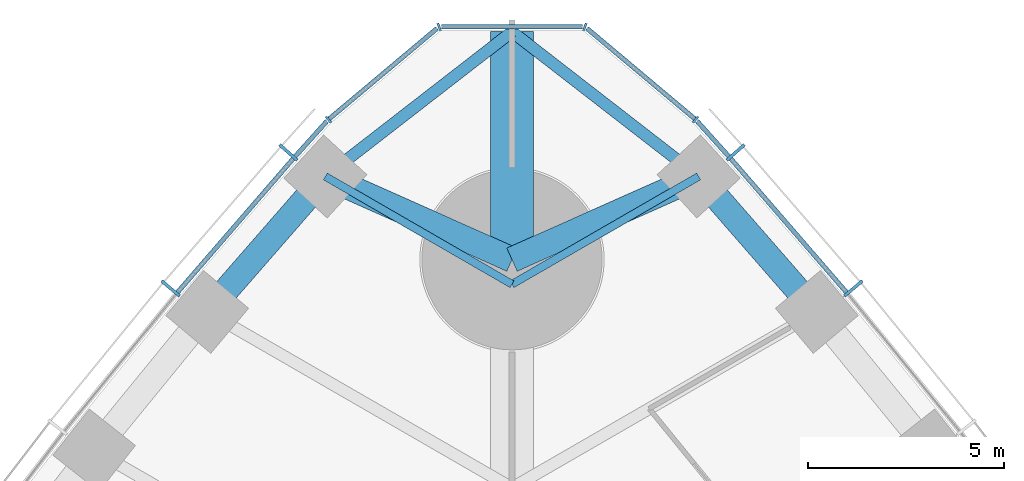
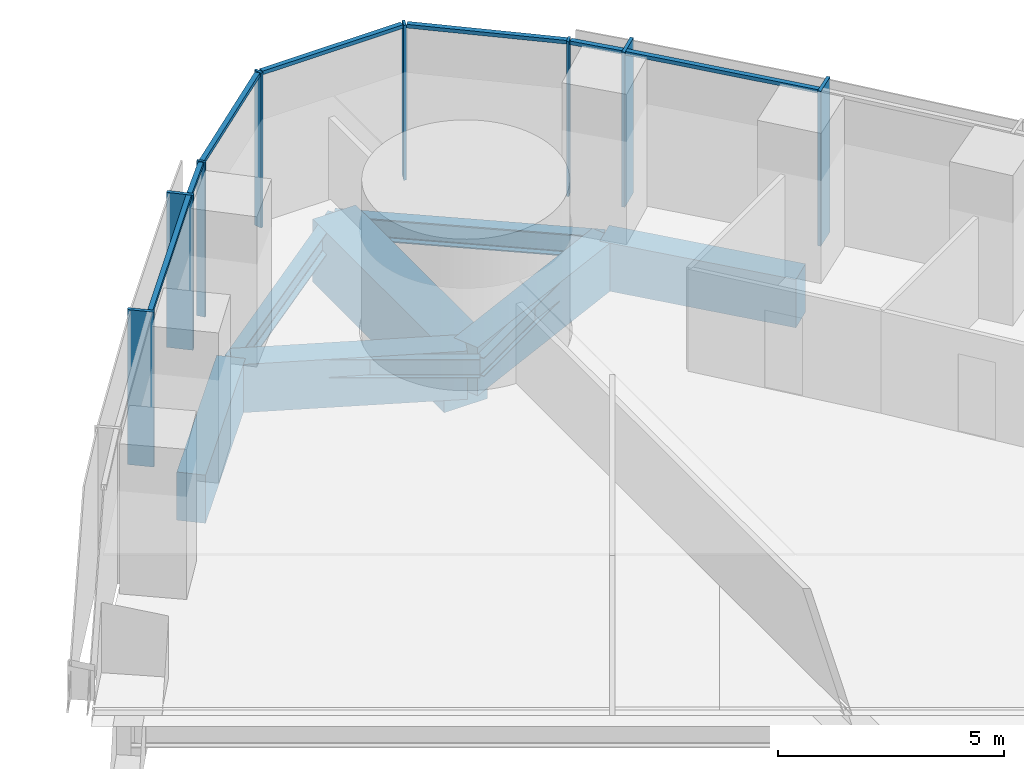
# One storey, part 7 of 18: 15 members, 9 beams, 3 elements without a shape of their own.
"""IFC4 building model written with IfcOpenShell, lengths in metres."""

from ifc_helpers import new_model, si_unit, direction, frame, origin, origin_2d, place, context, subcontext, project, spatial, rectangle, i_section, extrude, material, material_profile, profile_set, type_object, element, aggregate, save


model = new_model("IFC4")

# Units and contexts
model_context = context("Model", 3, precision=1e-05, world=origin(), true_north=direction((0.0, 1.0)))
body_context = subcontext(model_context, "Body", "Model", "MODEL_VIEW")
ifc_project = project(units=[si_unit("LENGTHUNIT", "METRE"), si_unit("AREAUNIT", "SQUARE_METRE"), si_unit("VOLUMEUNIT", "CUBIC_METRE"), si_unit("PLANEANGLEUNIT", "RADIAN"), si_unit("MASSUNIT", "GRAM", prefix="KILO")], contexts=[model_context])

# Site, building, storey
site_placement = place(None, origin())
site = spatial("IfcSite", under=ifc_project, at=site_placement, CompositionType="ELEMENT")
building_placement = place(site_placement, origin())
building = spatial("IfcBuilding", under=site, at=building_placement, Name="Trefoil Bronze Tower", CompositionType="ELEMENT")
storey_placement = place(building_placement, frame((0.0, 0.0, 24.89990234375)))
storey = spatial("IfcBuildingStorey", under=building, at=storey_placement, Name="L05", CompositionType="ELEMENT", Elevation=24.89990234375)

# Curtain wall, members
ifc_material_1 = material(Name="Tinted solar-control glass", Category="glass")
curtain_wall_type_1 = type_object("IfcCurtainWallType", Name="Bronze office curtain wall", PredefinedType="USERDEFINED", material=ifc_material_1)
curtain_wall_1_placement = place(storey_placement, origin())
curtain_wall_1 = element("IfcCurtainWall", 1, at=curtain_wall_1_placement, inside=storey, type_object=curtain_wall_type_1, Name="CW-A L05 F2", ObjectType="CURTAIN WALL", PredefinedType="USERDEFINED")
ifc_material_2 = material(Name="Bronze-finish aluminium", Category="aluminium")
ifc_material_profile_1 = material_profile(ifc_material_2, rectangle(XDim=0.60009765625, YDim=0.080078125, at=origin_2d()), Name="CW-A mullion")
ifc_profile_set_1 = profile_set([ifc_material_profile_1], Name="Bronze-finish aluminium")
member_type_1 = type_object("IfcMemberType", Name="Bronze office curtain wall mullion", PredefinedType="MULLION", material=ifc_profile_set_1)
member_1_placement = place(storey_placement, frame((8.709716796875, 36.265869140625, 0.0), z_axis=(0.0, 0.0, 1.0), x_axis=(-0.765729101889, -0.643163231629, 0.0)))
member_1 = element("IfcMember", 2, at=member_1_placement, type_object=member_type_1, Name="CW-A L05 F2 mullion 15", PredefinedType="MULLION", context=body_context, shape_type="SweptSolid", body=[
    extrude(rectangle(XDim=0.60009765625, YDim=0.080078125, at=origin_2d()), origin(), (0.0, 0.0, 1.0), 4.18017578125),
])
member_2_placement = place(storey_placement, frame((5.70654296875, 39.736328125, 0.0), z_axis=(0.0, 0.0, 1.0), x_axis=(-0.7499405861, -0.661505190698, 0.0)))
member_2 = element("IfcMember", 3, at=member_2_placement, type_object=member_type_1, Name="CW-A L05 F2 mullion 16", PredefinedType="MULLION", context=body_context, shape_type="SweptSolid", body=[
    extrude(rectangle(XDim=0.60009765625, YDim=0.080078125, at=origin_2d()), origin(), (0.0, 0.0, 1.0), 4.18017578125),
])

curtain_wall_2_placement = place(storey_placement, origin())
curtain_wall_2 = element("IfcCurtainWall", 4, at=curtain_wall_2_placement, inside=storey, type_object=curtain_wall_type_1, Name="CW-A L05 F3", ObjectType="CURTAIN WALL", PredefinedType="USERDEFINED")
member_3_placement = place(storey_placement, frame((-5.70654296875, 39.736328125, 0.0), z_axis=(0.0, 0.0, 1.0), x_axis=(0.7499405861, -0.661505190698, 0.0)))
member_3 = element("IfcMember", 5, at=member_3_placement, type_object=member_type_1, Name="CW-A L05 F3 mullion 2", PredefinedType="MULLION", context=body_context, shape_type="SweptSolid", body=[
    extrude(rectangle(XDim=0.60009765625, YDim=0.080078125, at=origin_2d()), origin(), (0.0, 0.0, 1.0), 4.18017578125),
])
member_4_placement = place(storey_placement, frame((-8.709716796875, 36.265869140625, 0.0), z_axis=(0.0, 0.0, 1.0), x_axis=(0.765729101889, -0.643163231629, 0.0)))
member_4 = element("IfcMember", 6, at=member_4_placement, type_object=member_type_1, Name="CW-A L05 F3 mullion 3", PredefinedType="MULLION", context=body_context, shape_type="SweptSolid", body=[
    extrude(rectangle(XDim=0.60009765625, YDim=0.080078125, at=origin_2d()), origin(), (0.0, 0.0, 1.0), 4.18017578125),
])

# Member
ifc_material_3 = material(Name="Bronze-finish aluminium", Category="aluminium")
ifc_material_profile_2 = material_profile(ifc_material_3, rectangle(XDim=0.1201171875, YDim=0.10009765625, at=origin_2d()), Name="CW-A transom")
ifc_profile_set_2 = profile_set([ifc_material_profile_2], Name="Bronze-finish aluminium")
member_type_2 = type_object("IfcMemberType", Name="Bronze office curtain wall transom", PredefinedType="USERDEFINED", material=ifc_profile_set_2)
member_5_placement = place(storey_placement, frame((8.529541015625, 36.16845703125, 4.130126953125), z_axis=(-0.654383303203, 0.75616300656, 0.0), x_axis=(-0.75616300656, -0.654383303203, 0.0)))
member_5 = element("IfcMember", 7, at=member_5_placement, type_object=member_type_2, Name="CW-A L05 F2 transom 15", ObjectType="TRANSOM", PredefinedType="USERDEFINED", context=body_context, shape_type="SweptSolid", body=[
    extrude(rectangle(XDim=0.1201171875, YDim=0.10009765625, at=origin_2d()), origin(), (0.0, 0.0, 1.0), 4.50244140625),
])

member_6_placement = place(storey_placement, frame((5.529052734375, 39.634521484375, 4.130126953125), z_axis=(-0.66858567461, 0.743635122695, 0.0), x_axis=(-0.743635122695, -0.66858567461, 0.0)))
member_6 = element("IfcMember", 8, at=member_6_placement, type_object=member_type_2, Name="CW-A L05 F2 transom 16", ObjectType="TRANSOM", PredefinedType="USERDEFINED", context=body_context, shape_type="SweptSolid", body=[
    extrude(rectangle(XDim=0.1201171875, YDim=0.10009765625, at=origin_2d()), origin(), (0.0, 0.0, 1.0), 1.210205078125),
])

aggregate(curtain_wall_1, [member_1, member_2, member_5, member_6])

member_7_placement = place(storey_placement, frame((-4.719970703125, 40.534423828125, 4.130126953125), z_axis=(-0.66858567461, -0.743635122695, 0.0), x_axis=(0.743635122695, -0.66858567461, 0.0)))
member_7 = element("IfcMember", 9, at=member_7_placement, type_object=member_type_2, Name="CW-A L05 F3 transom 1", ObjectType="TRANSOM", PredefinedType="USERDEFINED", context=body_context, shape_type="SweptSolid", body=[
    extrude(rectangle(XDim=0.1201171875, YDim=0.10009765625, at=origin_2d()), origin(), (0.0, 0.0, 1.0), 1.210205078125),
])

member_8_placement = place(storey_placement, frame((-5.583251953125, 39.572998046875, 4.130126953125), z_axis=(-0.654383303203, -0.75616300656, 0.0), x_axis=(0.75616300656, -0.654383303203, 0.0)))
member_8 = element("IfcMember", 10, at=member_8_placement, type_object=member_type_2, Name="CW-A L05 F3 transom 2", ObjectType="TRANSOM", PredefinedType="USERDEFINED", context=body_context, shape_type="SweptSolid", body=[
    extrude(rectangle(XDim=0.1201171875, YDim=0.10009765625, at=origin_2d()), origin(), (0.0, 0.0, 1.0), 4.50244140625),
])

aggregate(curtain_wall_2, [member_3, member_4, member_7, member_8])

# Curtain wall, members
ifc_material_4 = material(Name="Tinted solar-control glass", Category="glass")
curtain_wall_type_2 = type_object("IfcCurtainWallType", Name="Bronze rounded corner curtain wall", PredefinedType="USERDEFINED", material=ifc_material_4)
curtain_wall_3_placement = place(storey_placement, origin())
curtain_wall_3 = element("IfcCurtainWall", 11, at=curtain_wall_3_placement, inside=storey, type_object=curtain_wall_type_2, Name="CW-B L05 K2", ObjectType="CURTAIN WALL", PredefinedType="USERDEFINED")
ifc_material_5 = material(Name="Bronze-finish aluminium", Category="aluminium")
ifc_material_profile_3 = material_profile(ifc_material_5, rectangle(XDim=0.199951171875, YDim=0.06005859375, at=origin_2d()), Name="CW-B mullion")
ifc_profile_set_3 = profile_set([ifc_material_profile_3], Name="Bronze-finish aluminium")
member_type_3 = type_object("IfcMemberType", Name="Bronze rounded corner curtain wall mullion", PredefinedType="MULLION", material=ifc_profile_set_3)
member_9_placement = place(storey_placement, frame((4.68310546875, 40.573974609375, 0.0), z_axis=(0.0, 0.0, 1.0), x_axis=(-0.642787609687, -0.766044443119, 0.0)))
member_9 = element("IfcMember", 12, at=member_9_placement, type_object=member_type_3, Name="CW-B L05 K2 mullion 1", PredefinedType="MULLION", context=body_context, shape_type="SweptSolid", body=[
    extrude(rectangle(XDim=0.199951171875, YDim=0.06005859375, at=origin_2d()), origin(), (0.0, 0.0, 1.0), 4.18017578125),
])
member_10_placement = place(storey_placement, frame((1.8583984375, 42.9365234375, 0.0), z_axis=(0.0, 0.0, 1.0), x_axis=(-0.342020143326, -0.939692620786, 0.0)))
member_10 = element("IfcMember", 13, at=member_10_placement, type_object=member_type_3, Name="CW-B L05 K2 mullion 2", PredefinedType="MULLION", context=body_context, shape_type="SweptSolid", body=[
    extrude(rectangle(XDim=0.199951171875, YDim=0.06005859375, at=origin_2d()), origin(), (0.0, 0.0, 1.0), 4.18017578125),
])
member_11_placement = place(storey_placement, frame((-1.8583984375, 42.9365234375, 0.0), z_axis=(0.0, 0.0, 1.0), x_axis=(0.342020143326, -0.939692620786, 0.0)))
member_11 = element("IfcMember", 14, at=member_11_placement, type_object=member_type_3, Name="CW-B L05 K2 mullion 3", PredefinedType="MULLION", context=body_context, shape_type="SweptSolid", body=[
    extrude(rectangle(XDim=0.199951171875, YDim=0.06005859375, at=origin_2d()), origin(), (0.0, 0.0, 1.0), 4.18017578125),
])
member_12_placement = place(storey_placement, frame((-4.68310546875, 40.573974609375, 0.0), z_axis=(0.0, 0.0, 1.0), x_axis=(0.642787609687, -0.766044443119, 0.0)))
member_12 = element("IfcMember", 15, at=member_12_placement, type_object=member_type_3, Name="CW-B L05 K2 mullion 4", PredefinedType="MULLION", context=body_context, shape_type="SweptSolid", body=[
    extrude(rectangle(XDim=0.199951171875, YDim=0.06005859375, at=origin_2d()), origin(), (0.0, 0.0, 1.0), 4.18017578125),
])
ifc_material_6 = material(Name="Bronze-finish aluminium", Category="aluminium")
ifc_material_profile_4 = material_profile(ifc_material_6, rectangle(XDim=0.1201171875, YDim=0.10009765625, at=origin_2d()), Name="CW-B transom")
ifc_profile_set_4 = profile_set([ifc_material_profile_4], Name="Bronze-finish aluminium")
member_type_4 = type_object("IfcMemberType", Name="Bronze rounded corner curtain wall transom", PredefinedType="USERDEFINED", material=ifc_profile_set_4)
member_13_placement = place(storey_placement, frame((4.66015625, 40.59326171875, 4.130126953125), z_axis=(-0.766058606238, 0.642770730361, 0.0), x_axis=(-0.642770730361, -0.766058606238, 0.0)))
member_13 = element("IfcMember", 16, at=member_13_placement, type_object=member_type_4, Name="CW-B L05 K2 transom 1", ObjectType="TRANSOM", PredefinedType="USERDEFINED", context=body_context, shape_type="SweptSolid", body=[
    extrude(rectangle(XDim=0.1201171875, YDim=0.10009765625, at=origin_2d()), origin(), (0.0, 0.0, 1.0), 3.588134765625),
])
member_14_placement = place(storey_placement, frame((1.794189453125, 42.9423828125, 4.130126953125), z_axis=(-1.0, 0.0, 0.0), x_axis=(0.0, -1.0, 0.0)))
member_14 = element("IfcMember", 17, at=member_14_placement, type_object=member_type_4, Name="CW-B L05 K2 transom 2", ObjectType="TRANSOM", PredefinedType="USERDEFINED", context=body_context, shape_type="SweptSolid", body=[
    extrude(rectangle(XDim=0.1201171875, YDim=0.10009765625, at=origin_2d()), origin(), (0.0, 0.0, 1.0), 3.58837890625),
])
member_15_placement = place(storey_placement, frame((-1.911376953125, 42.899658203125, 4.130126953125), z_axis=(-0.766058606238, -0.642770730361, 0.0), x_axis=(0.642770730361, -0.766058606238, 0.0)))
member_15 = element("IfcMember", 18, at=member_15_placement, type_object=member_type_4, Name="CW-B L05 K2 transom 3", ObjectType="TRANSOM", PredefinedType="USERDEFINED", context=body_context, shape_type="SweptSolid", body=[
    extrude(rectangle(XDim=0.1201171875, YDim=0.10009765625, at=origin_2d()), origin(), (0.0, 0.0, 1.0), 3.588134765625),
])
aggregate(curtain_wall_3, [member_9, member_10, member_11, member_12, member_13, member_14, member_15])

# Beams
ifc_material_7 = material(Name="Concrete B80", Category="concrete")
ifc_material_profile_5 = material_profile(ifc_material_7, rectangle(XDim=1.10009765625, YDim=1.699951171875, at=origin_2d()), Name="RC 1100x1700")
ifc_profile_set_5 = profile_set([ifc_material_profile_5], Name="Concrete B80")
beam_type_1 = type_object("IfcBeamType", Name="Corner cantilever RC 1100x1700", PredefinedType="BEAM", material=ifc_profile_set_5)
beam_placement = place(storey_placement, frame((0.0, 37.0, -1.0498046875), z_axis=(0.0, 1.0, 0.0), x_axis=(-1.0, 0.0, 0.0)))
element("IfcBeam", 19, at=beam_placement, inside=storey, type_object=beam_type_1, Name="Corner cantilever K2 L05", PredefinedType="BEAM", context=body_context, shape_type="SweptSolid", body=[
    extrude(rectangle(XDim=1.10009765625, YDim=1.699951171875, at=origin_2d()), origin(), (0.0, 0.0, 1.0), 5.814208984375),
])
ifc_material_8 = material(Name="Steel C355", Category="steel")
ifc_material_profile_6 = material_profile(ifc_material_8, i_section(OverallWidth=0.300048828125, OverallDepth=0.60009765625, WebThickness=0.015380859375, FlangeThickness=0.030029296875, FilletRadius=0.027099609375, at=origin_2d()), Name="HEB 600")
ifc_profile_set_6 = profile_set([ifc_material_profile_6], Name="Steel C355")
beam_type_2 = type_object("IfcBeamType", Name="Corner edge beam HEB 600", PredefinedType="BEAM", material=ifc_profile_set_6)
for number, where, z_axis, x_axis, name in (
    (20, (4.76171875, 39.122314453125, -0.5), (-0.790289474622, 0.612733666696, 0.0), (-0.612733666696, -0.790289474622, 0.0), "Corner edge beam F2A L05"),
    (21, (-4.76171875, 39.122314453125, -0.5), (0.790289474622, 0.612733666696, 0.0), (-0.612733666696, 0.790289474622, 0.0), "Corner edge beam F3B L05"),
):
    element("IfcBeam", number, at=place(storey_placement, frame(where, z_axis=z_axis, x_axis=x_axis)), inside=storey, type_object=beam_type_2, Name=name, PredefinedType="BEAM", context=body_context, shape_type="SweptSolid", body=[
        extrude(i_section(OverallWidth=0.300048828125, OverallDepth=0.60009765625, WebThickness=0.015380859375, FlangeThickness=0.030029296875, FilletRadius=0.027099609375, at=origin_2d()), origin(), (0.0, 0.0, 1.0), 6.025390625),
    ])
ifc_material_9 = material(Name="Concrete B80", Category="concrete")
ifc_material_profile_7 = material_profile(ifc_material_9, rectangle(XDim=0.64990234375, YDim=1.300048828125, at=origin_2d()), Name="RC 650x1300")
ifc_profile_set_7 = profile_set([ifc_material_profile_7], Name="Concrete B80")
beam_type_3 = type_object("IfcBeamType", Name="End spandrel beam RC 650x1300", PredefinedType="SPANDREL", material=ifc_profile_set_7)
for number, where, z_axis, x_axis, name in (
    (22, (4.76171875, 39.122314453125, -0.849853515625), (-0.913384257879, -0.407098510754, 0.0), (0.407098510754, -0.913384257879, 0.0), "Spandrel F2.16 L05"),
    (23, (0.0, 37.0, -0.849853515625), (-0.913384257879, 0.407098510754, 0.0), (-0.407098510754, -0.913384257879, 0.0), "Spandrel F3.1 L05"),
):
    element("IfcBeam", number, at=place(storey_placement, frame(where, z_axis=z_axis, x_axis=x_axis)), inside=storey, type_object=beam_type_3, Name=name, PredefinedType="SPANDREL", context=body_context, shape_type="SweptSolid", body=[
        extrude(rectangle(XDim=0.64990234375, YDim=1.300048828125, at=origin_2d()), origin(), (0.0, 0.0, 1.0), 5.21337890625),
    ])
ifc_material_10 = material(Name="Steel C355", Category="steel")
ifc_material_profile_8 = material_profile(ifc_material_10, i_section(OverallWidth=0.199951171875, OverallDepth=0.5, WebThickness=0.01025390625, FlangeThickness=0.01611328125, FilletRadius=0.02099609375, at=origin_2d()), Name="IPE 500")
ifc_profile_set_8 = profile_set([ifc_material_profile_8], Name="Steel C355")
beam_type_4 = type_object("IfcBeamType", Name="Floor beam IPE 500", PredefinedType="BEAM", material=ifc_profile_set_8)
for number, where, z_axis, x_axis, name in (
    (24, (4.76171875, 39.122314453125, -0.449951171875), (-0.866018475376, -0.500012000164, 0.0), (0.500012000164, -0.866018475376, 0.0), "Floor beam F2/+7 L05"),
    (25, (-4.76171875, 39.122314453125, -0.449951171875), (0.866018475376, -0.500012000164, 0.0), (0.500012000164, 0.866018475376, 0.0), "Floor beam F3/-7 L05"),
):
    element("IfcBeam", number, at=place(storey_placement, frame(where, z_axis=z_axis, x_axis=x_axis)), inside=storey, type_object=beam_type_4, Name=name, PredefinedType="BEAM", context=body_context, shape_type="SweptSolid", body=[
        extrude(i_section(OverallWidth=0.199951171875, OverallDepth=0.5, WebThickness=0.01025390625, FlangeThickness=0.01611328125, FilletRadius=0.02099609375, at=origin_2d()), origin(), (0.0, 0.0, 1.0), 5.498291015625),
    ])
ifc_material_11 = material(Name="Concrete B80", Category="concrete")
ifc_material_profile_9 = material_profile(ifc_material_11, rectangle(XDim=0.64990234375, YDim=1.300048828125, at=origin_2d()), Name="RC 650x1300")
ifc_profile_set_9 = profile_set([ifc_material_profile_9], Name="Concrete B80")
beam_type_5 = type_object("IfcBeamType", Name="Spandrel beam RC 650x1300", PredefinedType="SPANDREL", material=ifc_profile_set_9)
for number, where, z_axis, x_axis, name in (
    (26, (7.7763671875, 35.666748046875, -0.849853515625), (-0.657395767989, 0.753545489158, 0.0), (-0.753545489158, -0.657395767989, 0.0), "Spandrel F2.15 L05"),
    (27, (-4.76171875, 39.122314453125, -0.849853515625), (-0.657395767989, -0.753545489158, 0.0), (0.753545489158, -0.657395767989, 0.0), "Spandrel F3.2 L05"),
):
    element("IfcBeam", number, at=place(storey_placement, frame(where, z_axis=z_axis, x_axis=x_axis)), inside=storey, type_object=beam_type_5, Name=name, PredefinedType="SPANDREL", context=body_context, shape_type="SweptSolid", body=[
        extrude(rectangle(XDim=0.64990234375, YDim=1.300048828125, at=origin_2d()), origin(), (0.0, 0.0, 1.0), 4.585693359375),
    ])

save(model, "model.ifc")
